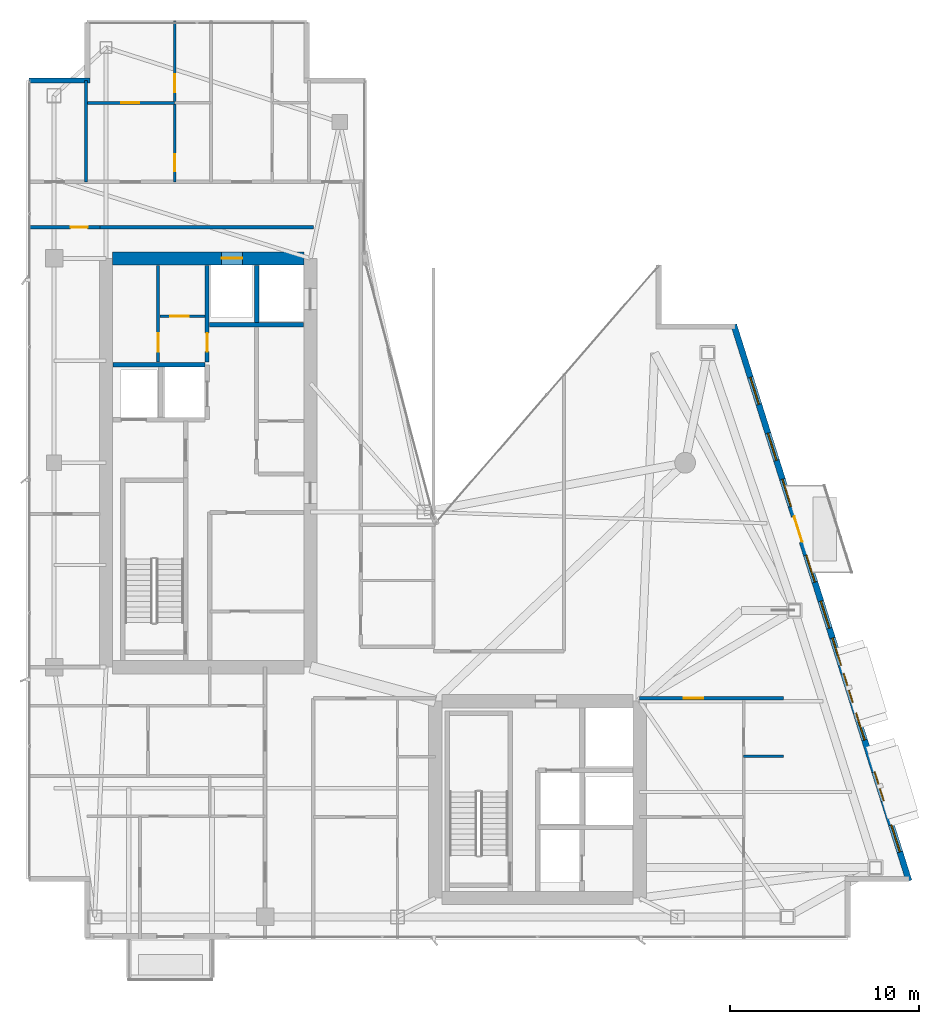
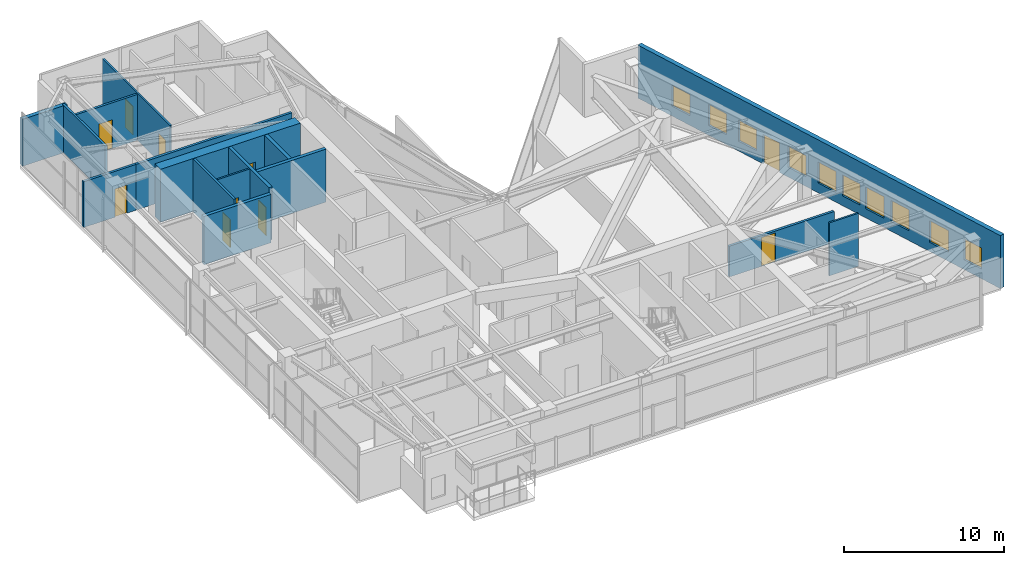
# One storey, part 26 of 29: 16 walls, 10 doors, 10 windows, 20 openings.
"""IFC4 building model written with IfcOpenShell, lengths in metres."""

from ifc_helpers import new_model, si_unit, direction, frame, frame_2d, origin, place, context, subcontext, project, spatial, rectangle, extrude, material, layer, layer_set, type_object, element, fill, save


model = new_model("IFC4")

# Units and contexts
model_context = context("Model", 3, precision=1e-05, world=origin(), true_north=direction((0.0, 1.0)))
body_context = subcontext(model_context, "Body", "Model", "MODEL_VIEW")
ifc_project = project(units=[si_unit("LENGTHUNIT", "METRE"), si_unit("AREAUNIT", "SQUARE_METRE"), si_unit("VOLUMEUNIT", "CUBIC_METRE"), si_unit("PLANEANGLEUNIT", "RADIAN"), si_unit("MASSUNIT", "GRAM", prefix="KILO")], contexts=[model_context])

# Site, building, storey
site_placement = place(None, origin())
site = spatial("IfcSite", under=ifc_project, at=site_placement, CompositionType="ELEMENT")
building_placement = place(site_placement, origin())
building = spatial("IfcBuilding", under=site, at=building_placement, Name="Calvorn Quay Hotel", CompositionType="ELEMENT")
storey_placement = place(building_placement, frame((0.0, 0.0, 259.0)))
storey = spatial("IfcBuildingStorey", under=building, at=storey_placement, Name="L64", CompositionType="ELEMENT", Elevation=259.0)

# Wall, opening, door
ifc_material_1 = material(Name="Concrete C45", Category="concrete")
ifc_layer_1 = layer(ifc_material_1, 0.699951171875)
ifc_layer_set_1 = layer_set([ifc_layer_1], Name="WL-CORE-700")
wall_type_1 = type_object("IfcWallType", Name="WL-CORE-700", PredefinedType="SHEAR", material=ifc_layer_set_1)
wall_1_placement = place(storey_placement, frame((4.550048828125, 38.39990234375, 0.0), z_axis=(0.0, 0.0, 1.0), x_axis=(1.0, 0.0, 0.0)))
wall_1 = element("IfcWall", 1, at=wall_1_placement, inside=storey, type_object=wall_type_1, Name="West Core Shear Wall N (L64)", PredefinedType="SHEAR", context=body_context, shape_type="SweptSolid", body=[
    extrude(rectangle(XDim=10.099853515625, YDim=0.699951171875, at=frame_2d((5.0498046875, 0.0))), origin(), (0.0, 0.0, 1.0), 4.050048828125),
])
opening_1_placement = place(wall_1_placement, frame((5.75, 0.0, 0.0)))
opening_1 = element("IfcOpeningElement", 2, at=opening_1_placement, cuts=wall_1, Name="Opening LD-L64-H2", PredefinedType="OPENING", context=body_context, shape_type="SweptSolid", body=[
    extrude(rectangle(XDim=1.10009765625, YDim=2.199951171875, at=frame_2d((0.550048828125, 1.10009765625))), frame((0.0, 0.35986328125, 0.0), z_axis=(0.0, -1.0, 0.0), x_axis=(1.0, 0.0, 0.0)), (0.0, 0.0, 1.0), 0.719970703125),
])
ifc_material_2 = material(Name="Brushed Stainless Steel Sliding Lift Landing Door", Category="steel")
door_type_1 = type_object("IfcDoorType", Name="DR-LIFT-PASS-1100", OperationType="NOTDEFINED", PredefinedType="DOOR", material=ifc_material_2)
door_1_placement = place(opening_1_placement, origin())
door_1 = element("IfcDoor", 3, at=door_1_placement, inside=storey, type_object=door_type_1, Name="High-Rise Lift PL-H2 Landing Door (L64)", OperationType="DOUBLE_DOOR_SLIDING", OverallHeight=2.199951171875, OverallWidth=1.10009765625, PredefinedType="DOOR", context=body_context, shape_type="SweptSolid", body=[
    extrude(rectangle(XDim=1.10009765625, YDim=2.199951171875, at=frame_2d((0.550048828125, 1.10009765625))), frame((0.0, 0.02490234375, 0.0), z_axis=(0.0, -1.0, 0.0), x_axis=(1.0, 0.0, 0.0)), (0.0, 0.0, 1.0), 0.050048828125),
])
fill(opening_1, door_1)

ifc_material_3 = material(Name="Acoustic Fireboard Steel-Stud Partition", Category="steel")
ifc_layer_2 = layer(ifc_material_3, 0.179931640625)
ifc_layer_set_2 = layer_set([ifc_layer_2], Name="WL-CORR-FIRE-180")
wall_type_2 = type_object("IfcWallType", Name="WL-CORR-FIRE-180", PredefinedType="PARTITIONING", material=ifc_layer_set_2)
wall_2_placement = place(storey_placement, frame((0.080078125, 40.050048828125, 0.0), z_axis=(0.0, 0.0, 1.0), x_axis=(1.0, 0.0, 0.0)))
wall_2 = element("IfcWall", 4, at=wall_2_placement, inside=storey, type_object=wall_type_2, Name="Partition Wall L64-WL-WBAY-N-DOOR", PredefinedType="PARTITIONING", context=body_context, shape_type="SweptSolid", body=[
    extrude(rectangle(XDim=3.7998046875, YDim=0.179931640625, at=frame_2d((1.89990234375, 0.0))), origin(), (0.0, 0.0, 1.0), 3.5),
])
opening_2_placement = place(wall_2_placement, frame((2.25, 0.0, 0.0)))
opening_2 = element("IfcOpeningElement", 5, at=opening_2_placement, cuts=wall_2, Name="Opening D-L64-WBN", PredefinedType="OPENING", context=body_context, shape_type="SweptSolid", body=[
    extrude(rectangle(XDim=0.89990234375, YDim=2.14990234375, at=frame_2d((0.449951171875, 1.074951171875))), frame((0.0, 0.099853515625, 0.0), z_axis=(0.0, -1.0, 0.0), x_axis=(1.0, 0.0, 0.0)), (0.0, 0.0, 1.0), 0.199951171875),
])
ifc_material_4 = material(Name="Moisture-Sealed Timber En-Suite Door", Category="wood")
door_type_2 = type_object("IfcDoorType", Name="DR-ENSUITE-900", OperationType="NOTDEFINED", PredefinedType="DOOR", material=ifc_material_4)
door_2_placement = place(opening_2_placement, origin())
door_2 = element("IfcDoor", 6, at=door_2_placement, inside=storey, type_object=door_type_2, Name="West North Bay Door (L64)", OperationType="SINGLE_SWING_LEFT", OverallHeight=2.14990234375, OverallWidth=0.89990234375, PredefinedType="DOOR", context=body_context, shape_type="SweptSolid", body=[
    extrude(rectangle(XDim=0.89990234375, YDim=2.14990234375, at=frame_2d((0.449951171875, 1.074951171875))), frame((0.0, 0.02490234375, 0.0), z_axis=(0.0, -1.0, 0.0), x_axis=(1.0, 0.0, 0.0)), (0.0, 0.0, 1.0), 0.050048828125),
])
fill(opening_2, door_2)

# Wall
wall_3_placement = place(storey_placement, frame((3.830078125, 40.050048828125, 0.0), z_axis=(0.0, 0.0, 1.0), x_axis=(1.0, 0.0, 0.0)))
element("IfcWall", 7, at=wall_3_placement, inside=storey, type_object=wall_type_2, Name="Partition Wall L64-WL-W-SPUR-S", PredefinedType="PARTITIONING", context=body_context, shape_type="SweptSolid", body=[
    extrude(rectangle(XDim=11.31982421875, YDim=0.179931640625, at=frame_2d((5.659912109375, 0.0))), origin(), (0.0, 0.0, 1.0), 3.5),
])

# Wall, opening, door
wall_4_placement = place(storey_placement, frame((32.39990234375, 15.14990234375, 0.0), z_axis=(0.0, 0.0, 1.0), x_axis=(1.0, 0.0, 0.0)))
wall_4 = element("IfcWall", 8, at=wall_4_placement, inside=storey, type_object=wall_type_2, Name="Partition Wall L64-WL-CORR-SE-S", PredefinedType="PARTITIONING", context=body_context, shape_type="SweptSolid", body=[
    extrude(rectangle(XDim=7.60009765625, YDim=0.179931640625, at=frame_2d((3.800048828125, 0.0))), origin(), (0.0, 0.0, 1.0), 2.35009765625),
])
opening_3_placement = place(wall_4_placement, frame((2.330078125, 0.0, 0.0)))
opening_3 = element("IfcOpeningElement", 9, at=opening_3_placement, cuts=wall_4, Name="Opening D-L64-U06", PredefinedType="OPENING", context=body_context, shape_type="SweptSolid", body=[
    extrude(rectangle(XDim=1.02001953125, YDim=2.199951171875, at=frame_2d((0.510009765625, 1.10009765625))), frame((0.0, 0.099853515625, 0.0), z_axis=(0.0, -1.0, 0.0), x_axis=(1.0, 0.0, 0.0)), (0.0, 0.0, 1.0), 0.199951171875),
])
ifc_material_5 = material(Name="Solid-Core Walnut Veneer Hotel Fire Door")
door_type_3 = type_object("IfcDoorType", Name="DR-GUEST-ENTRY-1020", OperationType="NOTDEFINED", PredefinedType="DOOR", material=ifc_material_5)
door_3_placement = place(opening_3_placement, origin())
door_3 = element("IfcDoor", 10, at=door_3_placement, inside=storey, type_object=door_type_3, Name="South-East Unit Door U06 (L64)", OperationType="SINGLE_SWING_LEFT", OverallHeight=2.199951171875, OverallWidth=1.02001953125, PredefinedType="DOOR", context=body_context, shape_type="SweptSolid", body=[
    extrude(rectangle(XDim=1.02001953125, YDim=2.199951171875, at=frame_2d((0.510009765625, 1.10009765625))), frame((0.0, 0.02490234375, 0.0), z_axis=(0.0, -1.0, 0.0), x_axis=(1.0, 0.0, 0.0)), (0.0, 0.0, 1.0), 0.050048828125),
])
fill(opening_3, door_3)

ifc_material_6 = material(Name="Moisture-Resistant Tile-Backed Partition")
ifc_layer_3 = layer(ifc_material_6, 0.125)
ifc_layer_set_3 = layer_set([ifc_layer_3], Name="WL-ENSUITE-125")
wall_type_3 = type_object("IfcWallType", Name="WL-ENSUITE-125", PredefinedType="PARTITIONING", material=ifc_layer_set_3)
wall_5_placement = place(storey_placement, frame((7.050048828125, 35.35009765625, 0.0), z_axis=(0.0, 0.0, 1.0), x_axis=(1.0, 0.0, 0.0)))
wall_5 = element("IfcWall", 11, at=wall_5_placement, inside=storey, type_object=wall_type_3, Name="Partition Wall L64-WL-CWW-K-H", PredefinedType="PARTITIONING", context=body_context, shape_type="SweptSolid", body=[
    extrude(rectangle(XDim=2.369873046875, YDim=0.125, at=frame_2d((1.18505859375, 0.0))), origin(), (0.0, 0.0, 1.0), 4.050048828125),
])
opening_4_placement = place(wall_5_placement, frame((0.550048828125, 0.0, 0.0)))
opening_4 = element("IfcOpeningElement", 12, at=opening_4_placement, cuts=wall_5, Name="Opening D-L64-CK3", PredefinedType="OPENING", context=body_context, shape_type="SweptSolid", body=[
    extrude(rectangle(XDim=0.97998046875, YDim=2.14990234375, at=frame_2d((0.489990234375, 1.074951171875))), frame((0.0, 0.072509765625, 0.0), z_axis=(0.0, -1.0, 0.0), x_axis=(1.0, 0.0, 0.0)), (0.0, 0.0, 1.0), 0.14501953125),
])
ifc_material_7 = material(Name="Painted Steel Housekeeping/Riser Fire Door", Category="steel")
door_type_4 = type_object("IfcDoorType", Name="DR-SERVICE-980", OperationType="NOTDEFINED", PredefinedType="DOOR", material=ifc_material_7)
door_4_placement = place(opening_4_placement, origin())
door_4 = element("IfcDoor", 13, at=door_4_placement, inside=storey, type_object=door_type_4, Name="Telecom Closet Door (L64)", OperationType="SINGLE_SWING_RIGHT", OverallHeight=2.14990234375, OverallWidth=0.97998046875, PredefinedType="DOOR", context=body_context, shape_type="SweptSolid", body=[
    extrude(rectangle(XDim=0.97998046875, YDim=2.14990234375, at=frame_2d((0.489990234375, 1.074951171875))), frame((0.0, 0.02490234375, 0.0), z_axis=(0.0, -1.0, 0.0), x_axis=(1.0, 0.0, 0.0)), (0.0, 0.0, 1.0), 0.050048828125),
])
fill(opening_4, door_4)

# Wall, openings, doors
wall_6_placement = place(storey_placement, frame((7.820068359375, 42.449951171875, 0.0), z_axis=(0.0, 0.0, 1.0), x_axis=(0.0, 1.0, 0.0)))
wall_6 = element("IfcWall", 14, at=wall_6_placement, inside=storey, type_object=wall_type_3, Name="Partition Wall L64-WL-U04-BV", PredefinedType="PARTITIONING", context=body_context, shape_type="SweptSolid", body=[
    extrude(rectangle(XDim=8.489990234375, YDim=0.125, at=frame_2d((4.2451171875, 0.0))), origin(), (0.0, 0.0, 1.0), 3.60009765625),
])
opening_5_placement = place(wall_6_placement, frame((0.550048828125, 0.0, 0.0)))
opening_5 = element("IfcOpeningElement", 15, at=opening_5_placement, cuts=wall_6, Name="Opening D-L64-E04", PredefinedType="OPENING", context=body_context, shape_type="SweptSolid", body=[
    extrude(rectangle(XDim=0.89990234375, YDim=2.14990234375, at=frame_2d((0.449951171875, 1.074951171875))), frame((0.0, 0.072509765625, 0.0), z_axis=(0.0, -1.0, 0.0), x_axis=(1.0, 0.0, 0.0)), (0.0, 0.0, 1.0), 0.14501953125),
])
opening_6_placement = place(wall_6_placement, frame((4.719970703125, 0.0, 0.0)))
opening_6 = element("IfcOpeningElement", 16, at=opening_6_placement, cuts=wall_6, Name="Opening D-L64-S04", PredefinedType="OPENING", context=body_context, shape_type="SweptSolid", body=[
    extrude(rectangle(XDim=0.9599609375, YDim=2.199951171875, at=frame_2d((0.47998046875, 1.10009765625))), frame((0.0, 0.072509765625, 0.0), z_axis=(0.0, -1.0, 0.0), x_axis=(1.0, 0.0, 0.0)), (0.0, 0.0, 1.0), 0.14501953125),
])
door_5_placement = place(opening_5_placement, origin())
door_5 = element("IfcDoor", 17, at=door_5_placement, inside=storey, type_object=door_type_2, Name="En-Suite Door 04", OperationType="SINGLE_SWING_LEFT", OverallHeight=2.14990234375, OverallWidth=0.89990234375, PredefinedType="DOOR", context=body_context, shape_type="SweptSolid", body=[
    extrude(rectangle(XDim=0.89990234375, YDim=2.14990234375, at=frame_2d((0.449951171875, 1.074951171875))), frame((0.0, 0.02490234375, 0.0), z_axis=(0.0, -1.0, 0.0), x_axis=(1.0, 0.0, 0.0)), (0.0, 0.0, 1.0), 0.050048828125),
])
fill(opening_5, door_5)
ifc_material_8 = material(Name="Solid Timber Internal Suite Door", Category="wood")
door_type_5 = type_object("IfcDoorType", Name="DR-SUITE-INT-960", OperationType="NOTDEFINED", PredefinedType="DOOR", material=ifc_material_8)
door_6_placement = place(opening_6_placement, origin())
door_6 = element("IfcDoor", 18, at=door_6_placement, inside=storey, type_object=door_type_5, Name="Children Play Nursery Door 04", OperationType="SINGLE_SWING_RIGHT", OverallHeight=2.199951171875, OverallWidth=0.9599609375, PredefinedType="DOOR", context=body_context, shape_type="SweptSolid", body=[
    extrude(rectangle(XDim=0.9599609375, YDim=2.199951171875, at=frame_2d((0.47998046875, 1.10009765625))), frame((0.0, 0.02490234375, 0.0), z_axis=(0.0, -1.0, 0.0), x_axis=(1.0, 0.0, 0.0)), (0.0, 0.0, 1.0), 0.050048828125),
])
fill(opening_6, door_6)

# Walls
wall_7_placement = place(storey_placement, frame((37.889892578125, 12.10009765625, 0.0), z_axis=(0.0, 0.0, 1.0), x_axis=(1.0, 0.0, 0.0)))
element("IfcWall", 19, at=wall_7_placement, inside=storey, type_object=wall_type_3, Name="Partition Wall L64-WL-U06-BDV", PredefinedType="PARTITIONING", context=body_context, shape_type="SweptSolid", body=[
    extrude(rectangle(XDim=2.110107421875, YDim=0.125, at=frame_2d((1.05517578125, 0.0))), origin(), (0.0, 0.0, 1.0), 4.050048828125),
])
ifc_material_9 = material(Name="Concrete C40", Category="concrete")
ifc_layer_4 = layer(ifc_material_9, 0.320068359375)
ifc_layer_set_4 = layer_set([ifc_layer_4], Name="WL-EXT-SPANDREL-320")
wall_type_4 = type_object("IfcWallType", Name="WL-EXT-SPANDREL-320", PredefinedType="SOLIDWALL", material=ifc_layer_set_4)
wall_8_placement = place(storey_placement, frame((3.340087890625, 47.800048828125, 0.0), z_axis=(0.0, 0.0, 1.0), x_axis=(-1.0, 0.0, 0.0)))
element("IfcWall", 20, at=wall_8_placement, inside=storey, type_object=wall_type_4, Name="Notched Corner Spandrel L64-NW2", PredefinedType="SOLIDWALL", context=body_context, shape_type="SweptSolid", body=[
    extrude(rectangle(XDim=3.219970703125, YDim=0.280029296875, at=frame_2d((1.60986328125, 0.0))), origin(), (0.0, 0.0, 1.0), 3.60009765625),
])

# Wall, openings, door, windows
wall_9_placement = place(storey_placement, frame((46.6298828125, 5.5048828125, 0.0), z_axis=(0.0, 0.0, 1.0), x_axis=(-0.300501856448, 0.953781229775, 0.0)))
wall_9 = element("IfcWall", 21, at=wall_9_placement, inside=storey, type_object=wall_type_4, Name="East Stepped Waterfront Exterior Wall (L64)", PredefinedType="SOLIDWALL", context=body_context, shape_type="SweptSolid", body=[
    extrude(rectangle(XDim=30.814453125, YDim=0.320068359375, at=frame_2d((15.4072265625, 0.0))), origin(), (0.0, 0.0, 1.0), 4.050048828125),
])
opening_7_placement = place(wall_9_placement, frame((18.7958984375, 0.0, 0.0)))
opening_7 = element("IfcOpeningElement", 22, at=opening_7_placement, cuts=wall_9, Name="Opening DB-L64-1", PredefinedType="OPENING", context=body_context, shape_type="SweptSolid", body=[
    extrude(rectangle(XDim=1.39990234375, YDim=2.25, at=frame_2d((0.699951171875, 1.125))), frame((0.0, 0.169921875, 0.0), z_axis=(0.0, -1.0, 0.0), x_axis=(1.0, 0.0, 0.0)), (0.0, 0.0, 1.0), 0.340087890625),
])
opening_8_placement = place(wall_9_placement, frame((4.43701171875, 0.0, 0.699951171875)))
opening_8 = element("IfcOpeningElement", 23, at=opening_8_placement, cuts=wall_9, Name="Opening WHD-L64-1", PredefinedType="OPENING", context=body_context, shape_type="SweptSolid", body=[
    extrude(rectangle(XDim=1.60009765625, YDim=1.64990234375, at=frame_2d((0.800048828125, 0.824951171875))), frame((0.0, 0.169921875, 0.0), z_axis=(0.0, -1.0, 0.0), x_axis=(1.0, 0.0, 0.0)), (0.0, 0.0, 1.0), 0.340087890625),
])
opening_9_placement = place(wall_9_placement, frame((9.888916015625, 0.0, 0.699951171875)))
opening_9 = element("IfcOpeningElement", 24, at=opening_9_placement, cuts=wall_9, Name="Opening WHD-L64-2", PredefinedType="OPENING", context=body_context, shape_type="SweptSolid", body=[
    extrude(rectangle(XDim=1.60009765625, YDim=1.64990234375, at=frame_2d((0.800048828125, 0.824951171875))), frame((0.0, 0.169921875, 0.0), z_axis=(0.0, -1.0, 0.0), x_axis=(1.0, 0.0, 0.0)), (0.0, 0.0, 1.0), 0.340087890625),
])
opening_10_placement = place(wall_9_placement, frame((1.60009765625, 0.0, 0.75)))
opening_10 = element("IfcOpeningElement", 25, at=opening_10_placement, cuts=wall_9, Name="Opening WG-L64-E1", PredefinedType="OPENING", context=body_context, shape_type="SweptSolid", body=[
    extrude(rectangle(XDim=1.5, YDim=1.60009765625, at=frame_2d((0.75, 0.800048828125))), frame((0.0, 0.169921875, 0.0), z_axis=(0.0, -1.0, 0.0), x_axis=(1.0, 0.0, 0.0)), (0.0, 0.0, 1.0), 0.340087890625),
])
opening_11_placement = place(wall_9_placement, frame((7.800048828125, 0.0, 0.75)))
opening_11 = element("IfcOpeningElement", 26, at=opening_11_placement, cuts=wall_9, Name="Opening WG-L64-E2", PredefinedType="OPENING", context=body_context, shape_type="SweptSolid", body=[
    extrude(rectangle(XDim=1.5, YDim=1.60009765625, at=frame_2d((0.75, 0.800048828125))), frame((0.0, 0.169921875, 0.0), z_axis=(0.0, -1.0, 0.0), x_axis=(1.0, 0.0, 0.0)), (0.0, 0.0, 1.0), 0.340087890625),
])
opening_12_placement = place(wall_9_placement, frame((11.949951171875, 0.0, 0.75)))
opening_12 = element("IfcOpeningElement", 27, at=opening_12_placement, cuts=wall_9, Name="Opening WG-L64-E3", PredefinedType="OPENING", context=body_context, shape_type="SweptSolid", body=[
    extrude(rectangle(XDim=1.5, YDim=1.60009765625, at=frame_2d((0.75, 0.800048828125))), frame((0.0, 0.169921875, 0.0), z_axis=(0.0, -1.0, 0.0), x_axis=(1.0, 0.0, 0.0)), (0.0, 0.0, 1.0), 0.340087890625),
])
opening_13_placement = place(wall_9_placement, frame((14.0, 0.0, 0.75)))
opening_13 = element("IfcOpeningElement", 28, at=opening_13_placement, cuts=wall_9, Name="Opening WG-L64-E4", PredefinedType="OPENING", context=body_context, shape_type="SweptSolid", body=[
    extrude(rectangle(XDim=1.5, YDim=1.60009765625, at=frame_2d((0.75, 0.800048828125))), frame((0.0, 0.169921875, 0.0), z_axis=(0.0, -1.0, 0.0), x_axis=(1.0, 0.0, 0.0)), (0.0, 0.0, 1.0), 0.340087890625),
])
opening_14_placement = place(wall_9_placement, frame((16.550048828125, 0.0, 0.75)))
opening_14 = element("IfcOpeningElement", 29, at=opening_14_placement, cuts=wall_9, Name="Opening WG-L64-E5", PredefinedType="OPENING", context=body_context, shape_type="SweptSolid", body=[
    extrude(rectangle(XDim=1.5, YDim=1.60009765625, at=frame_2d((0.75, 0.800048828125))), frame((0.0, 0.169921875, 0.0), z_axis=(0.0, -1.0, 0.0), x_axis=(1.0, 0.0, 0.0)), (0.0, 0.0, 1.0), 0.340087890625),
])
opening_15_placement = place(wall_9_placement, frame((20.75, 0.0, 0.75)))
opening_15 = element("IfcOpeningElement", 30, at=opening_15_placement, cuts=wall_9, Name="Opening WG-L64-E6", PredefinedType="OPENING", context=body_context, shape_type="SweptSolid", body=[
    extrude(rectangle(XDim=1.5, YDim=1.60009765625, at=frame_2d((0.75, 0.800048828125))), frame((0.0, 0.169921875, 0.0), z_axis=(0.0, -1.0, 0.0), x_axis=(1.0, 0.0, 0.0)), (0.0, 0.0, 1.0), 0.340087890625),
])
opening_16_placement = place(wall_9_placement, frame((23.300048828125, 0.0, 0.75)))
opening_16 = element("IfcOpeningElement", 31, at=opening_16_placement, cuts=wall_9, Name="Opening WG-L64-E7", PredefinedType="OPENING", context=body_context, shape_type="SweptSolid", body=[
    extrude(rectangle(XDim=1.5, YDim=1.60009765625, at=frame_2d((0.75, 0.800048828125))), frame((0.0, 0.169921875, 0.0), z_axis=(0.0, -1.0, 0.0), x_axis=(1.0, 0.0, 0.0)), (0.0, 0.0, 1.0), 0.340087890625),
])
opening_17_placement = place(wall_9_placement, frame((26.39990234375, 0.0, 0.75)))
opening_17 = element("IfcOpeningElement", 32, at=opening_17_placement, cuts=wall_9, Name="Opening WG-L64-E8", PredefinedType="OPENING", context=body_context, shape_type="SweptSolid", body=[
    extrude(rectangle(XDim=1.5, YDim=1.60009765625, at=frame_2d((0.75, 0.800048828125))), frame((0.0, 0.169921875, 0.0), z_axis=(0.0, -1.0, 0.0), x_axis=(1.0, 0.0, 0.0)), (0.0, 0.0, 1.0), 0.340087890625),
])
ifc_material_10 = material(Name="Typhoon-Rated Low-E Aluminium Terrace Door", Category="aluminium")
door_type_6 = type_object("IfcDoorType", Name="DR-BALCONY-GLZ-1400", OperationType="NOTDEFINED", PredefinedType="DOOR", material=ifc_material_10)
door_7_placement = place(opening_7_placement, origin())
door_7 = element("IfcDoor", 33, at=door_7_placement, inside=storey, type_object=door_type_6, Name="Tree Balcony Terrace Door L64-BALC-E", OperationType="SINGLE_SWING_LEFT", OverallHeight=2.25, OverallWidth=1.39990234375, PredefinedType="DOOR", context=body_context, shape_type="SweptSolid", body=[
    extrude(rectangle(XDim=1.39990234375, YDim=2.25, at=frame_2d((0.699951171875, 1.125))), frame((0.0, 0.02490234375, 0.0), z_axis=(0.0, -1.0, 0.0), x_axis=(1.0, 0.0, 0.0)), (0.0, 0.0, 1.0), 0.050048828125),
])
fill(opening_7, door_7)
ifc_material_11 = material(Name="Champagne-Bronze Aluminium Low-E Window", Category="aluminium")
window_type_1 = type_object("IfcWindowType", Name="WIN-GUEST-SIDE-1600x2100", PartitioningType="SINGLE_PANEL", PredefinedType="WINDOW", material=ifc_material_11)
window_1_placement = place(opening_8_placement, origin())
window_1 = element("IfcWindow", 34, at=window_1_placement, inside=storey, type_object=window_type_1, Name="Bay Hood Window L64-HOOD-1", OverallHeight=1.64990234375, OverallWidth=1.60009765625, PartitioningType="SINGLE_PANEL", PredefinedType="WINDOW", context=body_context, shape_type="SweptSolid", body=[
    extrude(rectangle(XDim=1.60009765625, YDim=1.64990234375, at=frame_2d((0.800048828125, 0.824951171875))), frame((0.0, 0.030029296875, 0.0), z_axis=(0.0, -1.0, 0.0), x_axis=(1.0, 0.0, 0.0)), (0.0, 0.0, 1.0), 0.06005859375),
])
fill(opening_8, window_1)
window_2_placement = place(opening_9_placement, origin())
window_2 = element("IfcWindow", 35, at=window_2_placement, inside=storey, type_object=window_type_1, Name="Bay Hood Window L64-HOOD-2", OverallHeight=1.64990234375, OverallWidth=1.60009765625, PartitioningType="SINGLE_PANEL", PredefinedType="WINDOW", context=body_context, shape_type="SweptSolid", body=[
    extrude(rectangle(XDim=1.60009765625, YDim=1.64990234375, at=frame_2d((0.800048828125, 0.824951171875))), frame((0.0, 0.030029296875, 0.0), z_axis=(0.0, -1.0, 0.0), x_axis=(1.0, 0.0, 0.0)), (0.0, 0.0, 1.0), 0.06005859375),
])
fill(opening_9, window_2)
ifc_material_12 = material(Name="Self-Closing Class B Fire Window")
window_type_2 = type_object("IfcWindowType", Name="WIN-REFUGE-1500x1600", PartitioningType="SINGLE_PANEL", PredefinedType="WINDOW", material=ifc_material_12)
window_3_placement = place(opening_10_placement, origin())
window_3 = element("IfcWindow", 36, at=window_3_placement, inside=storey, type_object=window_type_2, Name="East Facade Window L64-E1", OverallHeight=1.60009765625, OverallWidth=1.5, PartitioningType="SINGLE_PANEL", PredefinedType="WINDOW", context=body_context, shape_type="SweptSolid", body=[
    extrude(rectangle(XDim=1.5, YDim=1.60009765625, at=frame_2d((0.75, 0.800048828125))), frame((0.0, 0.030029296875, 0.0), z_axis=(0.0, -1.0, 0.0), x_axis=(1.0, 0.0, 0.0)), (0.0, 0.0, 1.0), 0.06005859375),
])
fill(opening_10, window_3)
window_4_placement = place(opening_11_placement, origin())
window_4 = element("IfcWindow", 37, at=window_4_placement, inside=storey, type_object=window_type_2, Name="East Facade Window L64-E2", OverallHeight=1.60009765625, OverallWidth=1.5, PartitioningType="SINGLE_PANEL", PredefinedType="WINDOW", context=body_context, shape_type="SweptSolid", body=[
    extrude(rectangle(XDim=1.5, YDim=1.60009765625, at=frame_2d((0.75, 0.800048828125))), frame((0.0, 0.030029296875, 0.0), z_axis=(0.0, -1.0, 0.0), x_axis=(1.0, 0.0, 0.0)), (0.0, 0.0, 1.0), 0.06005859375),
])
fill(opening_11, window_4)
window_5_placement = place(opening_12_placement, origin())
window_5 = element("IfcWindow", 38, at=window_5_placement, inside=storey, type_object=window_type_2, Name="East Facade Window L64-E3", OverallHeight=1.60009765625, OverallWidth=1.5, PartitioningType="SINGLE_PANEL", PredefinedType="WINDOW", context=body_context, shape_type="SweptSolid", body=[
    extrude(rectangle(XDim=1.5, YDim=1.60009765625, at=frame_2d((0.75, 0.800048828125))), frame((0.0, 0.030029296875, 0.0), z_axis=(0.0, -1.0, 0.0), x_axis=(1.0, 0.0, 0.0)), (0.0, 0.0, 1.0), 0.06005859375),
])
fill(opening_12, window_5)
window_6_placement = place(opening_13_placement, origin())
window_6 = element("IfcWindow", 39, at=window_6_placement, inside=storey, type_object=window_type_2, Name="East Facade Window L64-E4", OverallHeight=1.60009765625, OverallWidth=1.5, PartitioningType="SINGLE_PANEL", PredefinedType="WINDOW", context=body_context, shape_type="SweptSolid", body=[
    extrude(rectangle(XDim=1.5, YDim=1.60009765625, at=frame_2d((0.75, 0.800048828125))), frame((0.0, 0.030029296875, 0.0), z_axis=(0.0, -1.0, 0.0), x_axis=(1.0, 0.0, 0.0)), (0.0, 0.0, 1.0), 0.06005859375),
])
fill(opening_13, window_6)
window_7_placement = place(opening_14_placement, origin())
window_7 = element("IfcWindow", 40, at=window_7_placement, inside=storey, type_object=window_type_2, Name="East Facade Window L64-E5", OverallHeight=1.60009765625, OverallWidth=1.5, PartitioningType="SINGLE_PANEL", PredefinedType="WINDOW", context=body_context, shape_type="SweptSolid", body=[
    extrude(rectangle(XDim=1.5, YDim=1.60009765625, at=frame_2d((0.75, 0.800048828125))), frame((0.0, 0.030029296875, 0.0), z_axis=(0.0, -1.0, 0.0), x_axis=(1.0, 0.0, 0.0)), (0.0, 0.0, 1.0), 0.06005859375),
])
fill(opening_14, window_7)
window_8_placement = place(opening_15_placement, origin())
window_8 = element("IfcWindow", 41, at=window_8_placement, inside=storey, type_object=window_type_2, Name="East Facade Window L64-E6", OverallHeight=1.60009765625, OverallWidth=1.5, PartitioningType="SINGLE_PANEL", PredefinedType="WINDOW", context=body_context, shape_type="SweptSolid", body=[
    extrude(rectangle(XDim=1.5, YDim=1.60009765625, at=frame_2d((0.75, 0.800048828125))), frame((0.0, 0.030029296875, 0.0), z_axis=(0.0, -1.0, 0.0), x_axis=(1.0, 0.0, 0.0)), (0.0, 0.0, 1.0), 0.06005859375),
])
fill(opening_15, window_8)
window_9_placement = place(opening_16_placement, origin())
window_9 = element("IfcWindow", 42, at=window_9_placement, inside=storey, type_object=window_type_2, Name="East Facade Window L64-E7", OverallHeight=1.60009765625, OverallWidth=1.5, PartitioningType="SINGLE_PANEL", PredefinedType="WINDOW", context=body_context, shape_type="SweptSolid", body=[
    extrude(rectangle(XDim=1.5, YDim=1.60009765625, at=frame_2d((0.75, 0.800048828125))), frame((0.0, 0.030029296875, 0.0), z_axis=(0.0, -1.0, 0.0), x_axis=(1.0, 0.0, 0.0)), (0.0, 0.0, 1.0), 0.06005859375),
])
fill(opening_16, window_9)
window_10_placement = place(opening_17_placement, origin())
window_10 = element("IfcWindow", 43, at=window_10_placement, inside=storey, type_object=window_type_2, Name="East Facade Window L64-E8", OverallHeight=1.60009765625, OverallWidth=1.5, PartitioningType="SINGLE_PANEL", PredefinedType="WINDOW", context=body_context, shape_type="SweptSolid", body=[
    extrude(rectangle(XDim=1.5, YDim=1.60009765625, at=frame_2d((0.75, 0.800048828125))), frame((0.0, 0.030029296875, 0.0), z_axis=(0.0, -1.0, 0.0), x_axis=(1.0, 0.0, 0.0)), (0.0, 0.0, 1.0), 0.06005859375),
])
fill(opening_17, window_10)

# Wall, opening, door
ifc_material_13 = material(Name="Double-Stud Acoustic Gypsum Partition")
ifc_layer_5 = layer(ifc_material_13, 0.159912109375)
ifc_layer_set_5 = layer_set([ifc_layer_5], Name="WL-INTERSUITE-160")
wall_type_5 = type_object("IfcWallType", Name="WL-INTERSUITE-160", PredefinedType="PARTITIONING", material=ifc_layer_set_5)
wall_10_placement = place(storey_placement, frame((6.949951171875, 32.919921875, 0.0), z_axis=(0.0, 0.0, 1.0), x_axis=(0.0, 1.0, 0.0)))
wall_10 = element("IfcWall", 44, at=wall_10_placement, inside=storey, type_object=wall_type_5, Name="Partition Wall L64-WL-CWW-K-V", PredefinedType="PARTITIONING", context=body_context, shape_type="SweptSolid", body=[
    extrude(rectangle(XDim=5.110107421875, YDim=0.159912109375, at=frame_2d((2.55517578125, 0.0))), origin(), (0.0, 0.0, 1.0), 4.050048828125),
])
opening_18_placement = place(wall_10_placement, frame((0.550048828125, 0.0, 0.0)))
opening_18 = element("IfcOpeningElement", 45, at=opening_18_placement, cuts=wall_10, Name="Opening D-L64-CK1", PredefinedType="OPENING", context=body_context, shape_type="SweptSolid", body=[
    extrude(rectangle(XDim=0.97998046875, YDim=2.14990234375, at=frame_2d((0.489990234375, 1.074951171875))), frame((0.0, 0.08984375, 0.0), z_axis=(0.0, -1.0, 0.0), x_axis=(1.0, 0.0, 0.0)), (0.0, 0.0, 1.0), 0.179931640625),
])
door_8_placement = place(opening_18_placement, origin())
door_8 = element("IfcDoor", 46, at=door_8_placement, inside=storey, type_object=door_type_4, Name="Pipe Riser Door (L64)", OperationType="SINGLE_SWING_LEFT", OverallHeight=2.14990234375, OverallWidth=0.97998046875, PredefinedType="DOOR", context=body_context, shape_type="SweptSolid", body=[
    extrude(rectangle(XDim=0.97998046875, YDim=2.14990234375, at=frame_2d((0.489990234375, 1.074951171875))), frame((0.0, 0.02490234375, 0.0), z_axis=(0.0, -1.0, 0.0), x_axis=(1.0, 0.0, 0.0)), (0.0, 0.0, 1.0), 0.050048828125),
])
fill(opening_18, door_8)

# Wall
wall_11_placement = place(storey_placement, frame((3.14990234375, 42.449951171875, 0.0), z_axis=(0.0, 0.0, 1.0), x_axis=(0.0, 1.0, 0.0)))
element("IfcWall", 47, at=wall_11_placement, inside=storey, type_object=wall_type_5, Name="Partition Wall L64-WL-NW-DIV-W0", PredefinedType="PARTITIONING", context=body_context, shape_type="SweptSolid", body=[
    extrude(rectangle(XDim=5.35009765625, YDim=0.159912109375, at=frame_2d((2.675048828125, 0.0))), origin(), (0.0, 0.0, 1.0), 3.64990234375),
])

# Wall, opening, door
wall_12_placement = place(storey_placement, frame((3.14990234375, 46.6201171875, 0.0), z_axis=(0.0, 0.0, 1.0), x_axis=(1.0, 0.0, 0.0)))
wall_12 = element("IfcWall", 48, at=wall_12_placement, inside=storey, type_object=wall_type_5, Name="Partition Wall L64-WL-U04-MSP", PredefinedType="PARTITIONING", context=body_context, shape_type="SweptSolid", body=[
    extrude(rectangle(XDim=4.670166015625, YDim=0.159912109375, at=frame_2d((2.3349609375, 0.0))), origin(), (0.0, 0.0, 1.0), 3.5),
])
opening_19_placement = place(wall_12_placement, frame((1.85009765625, 0.0, 0.0)))
opening_19 = element("IfcOpeningElement", 49, at=opening_19_placement, cuts=wall_12, Name="Opening D-L64-M04", PredefinedType="OPENING", context=body_context, shape_type="SweptSolid", body=[
    extrude(rectangle(XDim=0.9599609375, YDim=2.199951171875, at=frame_2d((0.47998046875, 1.10009765625))), frame((0.0, 0.08984375, 0.0), z_axis=(0.0, -1.0, 0.0), x_axis=(1.0, 0.0, 0.0)), (0.0, 0.0, 1.0), 0.179931640625),
])
door_9_placement = place(opening_19_placement, origin())
door_9 = element("IfcDoor", 50, at=door_9_placement, inside=storey, type_object=door_type_5, Name="Suite Bedroom Door 04", OperationType="SINGLE_SWING_LEFT", OverallHeight=2.199951171875, OverallWidth=0.9599609375, PredefinedType="DOOR", context=body_context, shape_type="SweptSolid", body=[
    extrude(rectangle(XDim=0.9599609375, YDim=2.199951171875, at=frame_2d((0.47998046875, 1.10009765625))), frame((0.0, 0.02490234375, 0.0), z_axis=(0.0, -1.0, 0.0), x_axis=(1.0, 0.0, 0.0)), (0.0, 0.0, 1.0), 0.050048828125),
])
fill(opening_19, door_9)

ifc_material_14 = material(Name="Autoclaved Aerated Masonry Block", Category="masonry")
ifc_layer_6 = layer(ifc_material_14, 0.219970703125)
ifc_layer_set_6 = layer_set([ifc_layer_6], Name="WL-LOBBY-FIRE-220")
wall_type_6 = type_object("IfcWallType", Name="WL-LOBBY-FIRE-220", PredefinedType="SOLIDWALL", material=ifc_layer_set_6)
wall_13_placement = place(storey_placement, frame((9.5400390625, 32.919921875, 0.0), z_axis=(0.0, 0.0, 1.0), x_axis=(0.0, 1.0, 0.0)))
wall_13 = element("IfcWall", 51, at=wall_13_placement, inside=storey, type_object=wall_type_6, Name="Partition Wall L64-WL-CWW-K-E", PredefinedType="SOLIDWALL", context=body_context, shape_type="SweptSolid", body=[
    extrude(rectangle(XDim=5.110107421875, YDim=0.219970703125, at=frame_2d((2.55517578125, 0.0))), origin(), (0.0, 0.0, 1.0), 4.050048828125),
])
opening_20_placement = place(wall_13_placement, frame((0.550048828125, 0.0, 0.0)))
opening_20 = element("IfcOpeningElement", 52, at=opening_20_placement, cuts=wall_13, Name="Opening D-L64-CK2", PredefinedType="OPENING", context=body_context, shape_type="SweptSolid", body=[
    extrude(rectangle(XDim=0.97998046875, YDim=2.14990234375, at=frame_2d((0.489990234375, 1.074951171875))), frame((0.0, 0.119873046875, 0.0), z_axis=(0.0, -1.0, 0.0), x_axis=(1.0, 0.0, 0.0)), (0.0, 0.0, 1.0), 0.239990234375),
])
door_10_placement = place(opening_20_placement, origin())
door_10 = element("IfcDoor", 53, at=door_10_placement, inside=storey, type_object=door_type_4, Name="Valet Closet Door (L64)", OperationType="SINGLE_SWING_LEFT", OverallHeight=2.14990234375, OverallWidth=0.97998046875, PredefinedType="DOOR", context=body_context, shape_type="SweptSolid", body=[
    extrude(rectangle(XDim=0.97998046875, YDim=2.14990234375, at=frame_2d((0.489990234375, 1.074951171875))), frame((0.0, 0.02490234375, 0.0), z_axis=(0.0, -1.0, 0.0), x_axis=(1.0, 0.0, 0.0)), (0.0, 0.0, 1.0), 0.050048828125),
])
fill(opening_20, door_10)

# Walls
ifc_material_15 = material(Name="Concrete C40", Category="concrete")
ifc_layer_7 = layer(ifc_material_15, 0.239990234375)
ifc_layer_set_7 = layer_set([ifc_layer_7], Name="WL-SHAFT-240")
wall_type_7 = type_object("IfcWallType", Name="WL-SHAFT-240", PredefinedType="SOLIDWALL", material=ifc_layer_set_7)
wall_14_placement = place(storey_placement, frame((4.570068359375, 32.780029296875, 0.0), z_axis=(0.0, 0.0, 1.0), x_axis=(1.0, 0.0, 0.0)))
element("IfcWall", 54, at=wall_14_placement, inside=storey, type_object=wall_type_7, Name="Partition Wall L64-WL-CWW-SLW-N", PredefinedType="SOLIDWALL", context=body_context, shape_type="SweptSolid", body=[
    extrude(rectangle(XDim=4.849853515625, YDim=0.239990234375, at=frame_2d((2.4248046875, 0.0))), origin(), (0.0, 0.0, 1.0), 3.699951171875),
])
wall_15_placement = place(storey_placement, frame((9.659912109375, 34.89990234375, 0.0), z_axis=(0.0, 0.0, 1.0), x_axis=(1.0, 0.0, 0.0)))
element("IfcWall", 55, at=wall_15_placement, inside=storey, type_object=wall_type_7, Name="Partition Wall L64-WL-CWW-PLH-S", PredefinedType="SOLIDWALL", context=body_context, shape_type="SweptSolid", body=[
    extrude(rectangle(XDim=4.969970703125, YDim=0.239990234375, at=frame_2d((2.48486328125, 0.0))), origin(), (0.0, 0.0, 1.0), 4.050048828125),
])
wall_16_placement = place(storey_placement, frame((12.14990234375, 35.02001953125, 0.0), z_axis=(0.0, 0.0, 1.0), x_axis=(0.0, 1.0, 0.0)))
element("IfcWall", 56, at=wall_16_placement, inside=storey, type_object=wall_type_7, Name="Partition Wall L64-WL-CWW-PLH-DIV", PredefinedType="SOLIDWALL", context=body_context, shape_type="SweptSolid", body=[
    extrude(rectangle(XDim=3.010009765625, YDim=0.239990234375, at=frame_2d((1.5048828125, 0.0))), origin(), (0.0, 0.0, 1.0), 4.050048828125),
])

save(model, "model.ifc")
